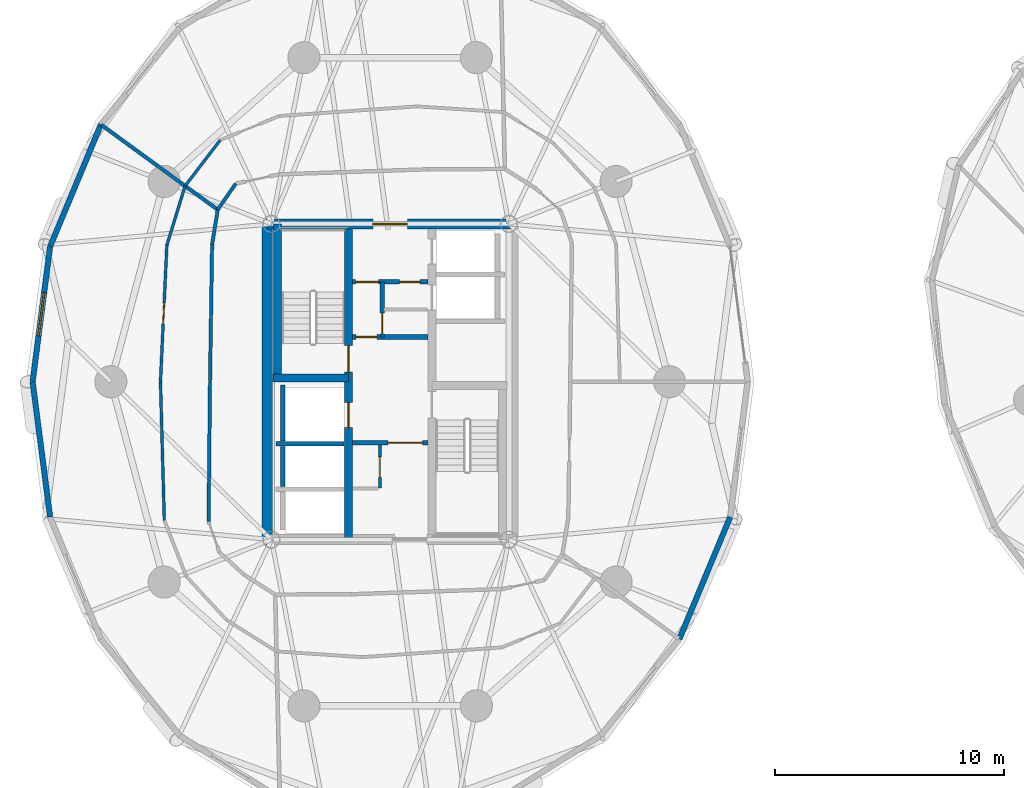
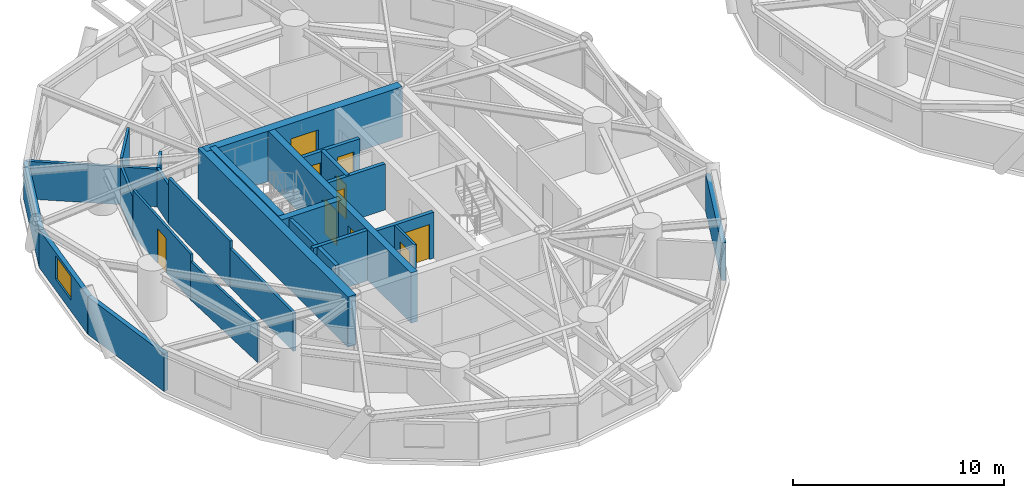
# One storey, part 10 of 17: 26 walls, 10 doors, 1 window, 11 openings.
"""IFC4 building model written with IfcOpenShell, lengths in metres."""

from ifc_helpers import new_model, si_unit, direction, frame, frame_2d, origin, place, context, subcontext, project, spatial, rectangle, extrude, source, transform, mapped, material, layer, layer_set, type_object, element, fill, save


model = new_model("IFC4")

# Units and contexts
model_context = context("Model", 3, precision=1e-05, world=origin(), true_north=direction((0.0, 1.0)))
body_context = subcontext(model_context, "Body", "Model", "MODEL_VIEW")
ifc_project = project(units=[si_unit("LENGTHUNIT", "METRE"), si_unit("AREAUNIT", "SQUARE_METRE"), si_unit("VOLUMEUNIT", "CUBIC_METRE"), si_unit("PLANEANGLEUNIT", "RADIAN"), si_unit("MASSUNIT", "GRAM", prefix="KILO")], contexts=[model_context])

# Site, building, storey
site_placement = place(None, origin())
site = spatial("IfcSite", under=ifc_project, at=site_placement, CompositionType="ELEMENT")
building_placement = place(site_placement, origin())
building = spatial("IfcBuilding", under=site, at=building_placement, Name="Cununo Teusaquillo Station Towers", CompositionType="ELEMENT")
storey_placement = place(building_placement, frame((0.0, 0.0, 90.52001953125)))
storey = spatial("IfcBuildingStorey", under=building, at=storey_placement, Name="L28", CompositionType="ELEMENT", Elevation=90.52001953125)

# Walls
ifc_material_1 = material(Name="Concrete C50/60", Category="concrete")
ifc_layer_1 = layer(ifc_material_1, 0.199951171875)
ifc_layer_set_1 = layer_set([ifc_layer_1], Name="Concrete C50/60")
wall_type_1 = type_object("IfcWallType", Name="WL-CORE-200", PredefinedType="SHEAR", material=ifc_layer_set_1)
wall_1_placement = place(storey_placement, frame((11.52001953125, 21.800048828125, 0.0), z_axis=(0.0, 0.0, 1.0), x_axis=(1.0, 0.0, 0.0)))
element("IfcWall", 1, at=wall_1_placement, inside=storey, type_object=wall_type_1, Name="L28 Tower A Firefighting Lift Shaft South Shear Wall", PredefinedType="SHEAR", context=body_context, shape_type="SweptSolid", body=[
    extrude(rectangle(XDim=2.969970703125, YDim=0.199951171875, at=frame_2d((1.48486328125, 0.0))), origin(), (0.0, 0.0, 1.0), 2.909912109375),
])
wall_2_placement = place(storey_placement, frame((11.820068359375, 21.919921875, 0.0), z_axis=(0.0, 0.0, 1.0), x_axis=(0.0, 1.0, 0.0)))
element("IfcWall", 2, at=wall_2_placement, inside=storey, type_object=wall_type_1, Name="L28 Tower A Firefighting Lift Shaft Rear Shear Wall", PredefinedType="SHEAR", context=body_context, shape_type="SweptSolid", body=[
    extrude(rectangle(XDim=2.440185546875, YDim=0.199951171875, at=frame_2d((1.22021484375, 0.0))), origin(), (0.0, 0.0, 1.0), 2.909912109375),
])
wall_3_placement = place(storey_placement, frame((11.820068359375, 19.945068359375, 0.0), z_axis=(0.0, 0.0, 1.0), x_axis=(0.0, 1.0, 0.0)))
element("IfcWall", 3, at=wall_3_placement, inside=storey, type_object=wall_type_1, Name="L28 Tower A High-Rise Lift 2 Shaft Rear Shear Wall", PredefinedType="SHEAR", context=body_context, shape_type="SweptSolid", body=[
    extrude(rectangle(XDim=1.73486328125, YDim=0.199951171875, at=frame_2d((0.867431640625, 0.0))), origin(), (0.0, 0.0, 1.0), 2.909912109375),
])

# Wall, openings, doors
ifc_material_2 = material(Name="Concrete C50/60", Category="concrete")
ifc_layer_2 = layer(ifc_material_2, 0.35009765625)
ifc_layer_set_2 = layer_set([ifc_layer_2], Name="Concrete C50/60")
wall_type_2 = type_object("IfcWallType", Name="WL-CORE-350", PredefinedType="SHEAR", material=ifc_layer_set_2)
wall_4_placement = place(storey_placement, frame((14.68505859375, 17.625, 0.0), z_axis=(0.0, 0.0, 1.0), x_axis=(0.0, 1.0, 0.0)))
wall_4 = element("IfcWall", 4, at=wall_4_placement, inside=storey, type_object=wall_type_2, Name="L28 Tower A Core Shear Wall IW", PredefinedType="SHEAR", context=body_context, shape_type="SweptSolid", body=[
    extrude(rectangle(XDim=13.75, YDim=0.35009765625, at=frame_2d((6.875, 0.0))), origin(), (0.0, 0.0, 1.0), 2.909912109375),
])
shared_shape_1 = source(origin(), body_context, "Body", "SweptSolid", [
    extrude(rectangle(XDim=1.10009765625, YDim=2.014892578125, at=frame_2d((0.550048828125, 1.00732421875))), frame((0.0, 0.18505859375, 0.0), z_axis=(0.0, -1.0, 0.0), x_axis=(1.0, 0.0, 0.0)), (0.0, 0.0, 1.0), 0.3701171875),
])
opening_1_placement = place(wall_4_placement, frame((4.875, 0.0, 0.0)))
opening_1 = element("IfcOpeningElement", 5, at=opening_1_placement, cuts=wall_4, Name="Opening LD-01", PredefinedType="OPENING", context=body_context, shape_type="MappedRepresentation", body=[
    mapped(shared_shape_1, transform((0.0, 0.0, 0.0), x_axis=(1.0, 0.0, 0.0), y_axis=(0.0, 1.0, 0.0), z_axis=(0.0, 0.0, 1.0), scale=1.0)),
])
shared_shape_2 = source(origin(), body_context, "Body", "SweptSolid", [
    extrude(rectangle(XDim=1.14990234375, YDim=2.02001953125, at=frame_2d((0.574951171875, 1.010009765625))), frame((0.0, 0.18505859375, 0.0), z_axis=(0.0, -1.0, 0.0), x_axis=(1.0, 0.0, 0.0)), (0.0, 0.0, 1.0), 0.3701171875),
])
opening_2_placement = place(wall_4_placement, frame((7.294921875, 0.0, 0.0)))
opening_2 = element("IfcOpeningElement", 6, at=opening_2_placement, cuts=wall_4, Name="Opening D-ST1", PredefinedType="OPENING", context=body_context, shape_type="MappedRepresentation", body=[
    mapped(shared_shape_2, transform((0.0, 0.0, 0.0), x_axis=(1.0, 0.0, 0.0), y_axis=(0.0, 1.0, 0.0), z_axis=(0.0, 0.0, 1.0), scale=1.0)),
])
ifc_material_3 = material(Name="Galvanised fire-rated hollow steel door assembly", Category="steel")
door_type_1 = type_object("IfcDoorType", Name="DR-LIFT-1100", OperationType="SLIDING_TO_LEFT", PredefinedType="DOOR", material=ifc_material_3)
shared_shape_3 = source(origin(), body_context, "Body", "SweptSolid", [
    extrude(rectangle(XDim=1.10009765625, YDim=2.014892578125, at=frame_2d((0.550048828125, 1.00732421875))), frame((0.0, 0.02490234375, 0.0), z_axis=(0.0, -1.0, 0.0), x_axis=(1.0, 0.0, 0.0)), (0.0, 0.0, 1.0), 0.050048828125),
])
door_1_placement = place(opening_1_placement, origin())
door_1 = element("IfcDoor", 7, at=door_1_placement, inside=storey, type_object=door_type_1, Name="L28 Lift FL-T1 Sliding Landing Door", OperationType="SLIDING_TO_LEFT", OverallHeight=2.014892578125, OverallWidth=1.10009765625, PredefinedType="DOOR", context=body_context, shape_type="MappedRepresentation", body=[
    mapped(shared_shape_3, transform((0.0, 0.0, 0.0), x_axis=(1.0, 0.0, 0.0), y_axis=(0.0, 1.0, 0.0), z_axis=(0.0, 0.0, 1.0), scale=1.0)),
])
fill(opening_1, door_1)
ifc_material_4 = material(Name="Galvanised fire-rated hollow steel door assembly", Category="steel")
door_type_2 = type_object("IfcDoorType", Name="DR-STAIR-1150", OperationType="NOTDEFINED", PredefinedType="DOOR", material=ifc_material_4)
shared_shape_4 = source(origin(), body_context, "Body", "SweptSolid", [
    extrude(rectangle(XDim=1.14990234375, YDim=2.02001953125, at=frame_2d((0.574951171875, 1.010009765625))), frame((0.0, 0.02490234375, 0.0), z_axis=(0.0, -1.0, 0.0), x_axis=(1.0, 0.0, 0.0)), (0.0, 0.0, 1.0), 0.050048828125),
])
door_2_placement = place(opening_2_placement, origin())
door_2 = element("IfcDoor", 8, at=door_2_placement, inside=storey, type_object=door_type_2, Name="L28 Tower A Exit Stair 1 Fire Door", OperationType="SINGLE_SWING_RIGHT", OverallHeight=2.02001953125, OverallWidth=1.14990234375, PredefinedType="DOOR", context=body_context, shape_type="MappedRepresentation", body=[
    mapped(shared_shape_4, transform((0.0, 0.0, 0.0), x_axis=(1.0, 0.0, 0.0), y_axis=(0.0, 1.0, 0.0), z_axis=(0.0, 0.0, 1.0), scale=1.0)),
])
fill(opening_2, door_2)

# Walls
wall_5_placement = place(storey_placement, frame((11.594970703125, 24.655029296875, 0.0), z_axis=(0.0, 0.0, 1.0), x_axis=(0.0, 1.0, 0.0)))
element("IfcWall", 9, at=wall_5_placement, inside=storey, type_object=wall_type_2, Name="L28 Tower A Core Shear Wall ST1W", PredefinedType="SHEAR", context=body_context, shape_type="SweptSolid", body=[
    extrude(rectangle(XDim=6.719970703125, YDim=0.35009765625, at=frame_2d((3.35986328125, 0.0))), origin(), (0.0, 0.0, 1.0), 2.909912109375),
])
wall_6_placement = place(storey_placement, frame((11.39990234375, 24.655029296875, 0.0), z_axis=(0.0, 0.0, 1.0), x_axis=(1.0, 0.0, 0.0)))
element("IfcWall", 10, at=wall_6_placement, inside=storey, type_object=wall_type_2, Name="L28 Tower A Core Shear Wall ST1S", PredefinedType="SHEAR", context=body_context, shape_type="SweptSolid", body=[
    extrude(rectangle(XDim=3.28515625, YDim=0.35009765625, at=frame_2d((1.642578125, 0.0))), origin(), (0.0, 0.0, 1.0), 2.909912109375),
])
ifc_material_5 = material(Name="Concrete C60/75", Category="concrete")
ifc_layer_3 = layer(ifc_material_5, 0.449951171875)
ifc_layer_set_3 = layer_set([ifc_layer_3], Name="Concrete C60/75")
wall_type_3 = type_object("IfcWallType", Name="WL-CORE-450", PredefinedType="SHEAR", material=ifc_layer_set_3)
wall_7_placement = place(storey_placement, frame((11.14990234375, 17.39990234375, 0.0), z_axis=(0.0, 0.0, 1.0), x_axis=(0.0, 1.0, 0.0)))
element("IfcWall", 11, at=wall_7_placement, inside=storey, type_object=wall_type_3, Name="L28 Tower A Core Shear Wall W", PredefinedType="SHEAR", context=body_context, shape_type="SweptSolid", body=[
    extrude(rectangle(XDim=14.2001953125, YDim=0.449951171875, at=frame_2d((7.10009765625, 0.0))), origin(), (0.0, 0.0, 1.0), 2.909912109375),
])

# Wall, opening, door
wall_8_placement = place(storey_placement, frame((11.14990234375, 31.375, 0.0), z_axis=(0.0, 0.0, 1.0), x_axis=(1.0, 0.0, 0.0)))
wall_8 = element("IfcWall", 12, at=wall_8_placement, inside=storey, type_object=wall_type_3, Name="L28 Tower A Core Shear Wall N", PredefinedType="SHEAR", context=body_context, shape_type="SweptSolid", body=[
    extrude(rectangle(XDim=10.7001953125, YDim=0.449951171875, at=frame_2d((5.35009765625, 0.0))), origin(), (0.0, 0.0, 1.0), 2.909912109375),
])
shared_shape_5 = source(origin(), body_context, "Body", "SweptSolid", [
    extrude(rectangle(XDim=1.5, YDim=2.02001953125, at=frame_2d((0.75, 1.010009765625))), frame((0.0, 0.23486328125, 0.0), z_axis=(0.0, -1.0, 0.0), x_axis=(1.0, 0.0, 0.0)), (0.0, 0.0, 1.0), 0.469970703125),
])
opening_3_placement = place(wall_8_placement, frame((4.60009765625, 0.0, 0.0)))
opening_3 = element("IfcOpeningElement", 13, at=opening_3_placement, cuts=wall_8, Name="Opening D-LB1", PredefinedType="OPENING", context=body_context, shape_type="MappedRepresentation", body=[
    mapped(shared_shape_5, transform((0.0, 0.0, 0.0), x_axis=(1.0, 0.0, 0.0), y_axis=(0.0, 1.0, 0.0), z_axis=(0.0, 0.0, 1.0), scale=1.0)),
])
ifc_material_6 = material(Name="Galvanised fire-rated hollow steel door assembly", Category="steel")
door_type_3 = type_object("IfcDoorType", Name="DR-LOBBY-1500", OperationType="DOUBLE_DOOR_SINGLE_SWING", PredefinedType="DOOR", material=ifc_material_6)
shared_shape_6 = source(origin(), body_context, "Body", "SweptSolid", [
    extrude(rectangle(XDim=1.5, YDim=2.02001953125, at=frame_2d((0.75, 1.010009765625))), frame((0.0, 0.02490234375, 0.0), z_axis=(0.0, -1.0, 0.0), x_axis=(1.0, 0.0, 0.0)), (0.0, 0.0, 1.0), 0.050048828125),
])
door_3_placement = place(opening_3_placement, origin())
door_3 = element("IfcDoor", 14, at=door_3_placement, inside=storey, type_object=door_type_3, Name="L28 Tower A North Core Lift Lobby Door", OperationType="DOUBLE_DOOR_SINGLE_SWING", OverallHeight=2.02001953125, OverallWidth=1.5, PredefinedType="DOOR", context=body_context, shape_type="MappedRepresentation", body=[
    mapped(shared_shape_6, transform((0.0, 0.0, 0.0), x_axis=(1.0, 0.0, 0.0), y_axis=(0.0, 1.0, 0.0), z_axis=(0.0, 0.0, 1.0), scale=1.0)),
])
fill(opening_3, door_3)

# Wall
ifc_material_7 = material(Name="Precast concrete C40/50", Category="concrete")
ifc_layer_4 = layer(ifc_material_7, 0.239990234375)
ifc_layer_set_4 = layer_set([ifc_layer_4], Name="Precast concrete C40/50")
wall_type_4 = type_object("IfcWallType", Name="WL-EXT-240", PredefinedType="SOLIDWALL", material=ifc_layer_set_4)
wall_9_placement = place(storey_placement, frame((1.681640625, 30.39306640625, 0.0), z_axis=(0.0, 0.0, 1.0), x_axis=(0.384344417632, 0.923189779317, 0.0)))
element("IfcWall", 15, at=wall_9_placement, inside=storey, type_object=wall_type_4, Name="L28 Tower A Exterior Facade Wall C08", PredefinedType="SOLIDWALL", context=body_context, shape_type="SweptSolid", body=[
    extrude(rectangle(XDim=5.75830078125, YDim=0.239990234375, at=frame_2d((2.879150390625, 0.0))), origin(), (0.0, 0.0, 1.0), 2.178955078125),
])

# Wall, opening, window
wall_10_placement = place(storey_placement, frame((0.9189453125, 24.5, 0.0), z_axis=(0.0, 0.0, 1.0), x_axis=(0.128351991996, 0.991728675672, 0.0)))
wall_10 = element("IfcWall", 16, at=wall_10_placement, inside=storey, type_object=wall_type_4, Name="L28 Tower A Exterior Facade Wall C09", PredefinedType="SOLIDWALL", context=body_context, shape_type="SweptSolid", body=[
    extrude(rectangle(XDim=5.942138671875, YDim=0.239990234375, at=frame_2d((2.97119140625, 0.0))), origin(), (0.0, 0.0, 1.0), 2.178955078125),
])
shared_shape_7 = source(origin(), body_context, "Body", "SweptSolid", [
    extrude(rectangle(XDim=1.89990234375, YDim=1.35009765625, at=frame_2d((0.949951171875, 0.675048828125))), frame((0.0, 0.1298828125, 0.0), z_axis=(0.0, -1.0, 0.0), x_axis=(1.0, 0.0, 0.0)), (0.0, 0.0, 1.0), 0.260009765625),
])
opening_4_placement = place(wall_10_placement, frame((2.02099609375, 0.0, 0.64990234375)))
opening_4 = element("IfcOpeningElement", 17, at=opening_4_placement, cuts=wall_10, Name="Opening WN-02", PredefinedType="OPENING", context=body_context, shape_type="MappedRepresentation", body=[
    mapped(shared_shape_7, transform((0.0, 0.0, 0.0), x_axis=(1.0, 0.0, 0.0), y_axis=(0.0, 1.0, 0.0), z_axis=(0.0, 0.0, 1.0), scale=1.0)),
])
ifc_material_8 = material(Name="Operable acoustic tinted low-E double glazing", Category="glass")
window_type = type_object("IfcWindowType", Name="WIN-OPER-1900", PartitioningType="DOUBLE_PANEL_VERTICAL", PredefinedType="WINDOW", material=ifc_material_8)
shared_shape_8 = source(origin(), body_context, "Body", "SweptSolid", [
    extrude(rectangle(XDim=1.89990234375, YDim=1.35009765625, at=frame_2d((0.949951171875, 0.675048828125))), frame((0.0, 0.030029296875, 0.0), z_axis=(0.0, -1.0, 0.0), x_axis=(1.0, 0.0, 0.0)), (0.0, 0.0, 1.0), 0.06005859375),
])
window_placement = place(opening_4_placement, origin())
window = element("IfcWindow", 18, at=window_placement, inside=storey, type_object=window_type, Name="L28 Tower A Facade Window C09", OverallHeight=1.35009765625, OverallWidth=1.89990234375, PartitioningType="DOUBLE_PANEL_VERTICAL", PredefinedType="WINDOW", context=body_context, shape_type="MappedRepresentation", body=[
    mapped(shared_shape_8, transform((0.0, 0.0, 0.0), x_axis=(1.0, 0.0, 0.0), y_axis=(0.0, 1.0, 0.0), z_axis=(0.0, 0.0, 1.0), scale=1.0)),
])
fill(opening_4, window)

# Walls
wall_11_placement = place(storey_placement, frame((1.681640625, 18.60693359375, 0.0), z_axis=(0.0, 0.0, 1.0), x_axis=(-0.128351991996, 0.991728675672, 0.0)))
element("IfcWall", 19, at=wall_11_placement, inside=storey, type_object=wall_type_4, Name="L28 Tower A Exterior Facade Wall C10", PredefinedType="SOLIDWALL", context=body_context, shape_type="SweptSolid", body=[
    extrude(rectangle(XDim=5.942138671875, YDim=0.239990234375, at=frame_2d((2.97119140625, 0.0))), origin(), (0.0, 0.0, 1.0), 2.178955078125),
])
wall_12_placement = place(storey_placement, frame((31.318359375, 18.60693359375, 0.0), z_axis=(0.0, 0.0, 1.0), x_axis=(-0.384344417632, -0.923189779317, 0.0)))
element("IfcWall", 20, at=wall_12_placement, inside=storey, type_object=wall_type_4, Name="L28 Tower A Exterior Facade Wall C18", PredefinedType="SOLIDWALL", context=body_context, shape_type="SweptSolid", body=[
    extrude(rectangle(XDim=5.75830078125, YDim=0.239990234375, at=frame_2d((2.879150390625, 0.0))), origin(), (0.0, 0.0, 1.0), 2.178955078125),
])

# Wall, opening, door
ifc_material_9 = material(Name="Fire-rated gypsum plasterboard partition assembly", Category="gypsum")
ifc_layer_5 = layer(ifc_material_9, 0.125)
ifc_layer_set_5 = layer_set([ifc_layer_5], Name="Fire-rated gypsum plasterboard partition assembly")
wall_type_5 = type_object("IfcWallType", Name="WL-PART-125", PredefinedType="PARTITIONING", material=ifc_layer_set_5)
wall_13_placement = place(storey_placement, frame((16.050048828125, 19.8798828125, 0.0), z_axis=(0.0, 0.0, 1.0), x_axis=(0.0, 1.0, 0.0)))
wall_13 = element("IfcWall", 21, at=wall_13_placement, inside=storey, type_object=wall_type_5, Name="L28 Tower A North-West Lobby Store East Wall", PredefinedType="PARTITIONING", context=body_context, shape_type="SweptSolid", body=[
    extrude(rectangle(XDim=1.8701171875, YDim=0.125, at=frame_2d((0.93505859375, 0.0))), origin(), (0.0, 0.0, 1.0), 2.655029296875),
])
shared_shape_9 = source(origin(), body_context, "Body", "SweptSolid", [
    extrude(rectangle(XDim=0.89990234375, YDim=2.0048828125, at=frame_2d((0.449951171875, 1.00244140625))), frame((0.0, 0.072509765625, 0.0), z_axis=(0.0, -1.0, 0.0), x_axis=(1.0, 0.0, 0.0)), (0.0, 0.0, 1.0), 0.14501953125),
])
opening_5_placement = place(wall_13_placement, frame((0.449951171875, 0.0, 0.0)))
opening_5 = element("IfcOpeningElement", 22, at=opening_5_placement, cuts=wall_13, Name="Opening D-SR1", PredefinedType="OPENING", context=body_context, shape_type="MappedRepresentation", body=[
    mapped(shared_shape_9, transform((0.0, 0.0, 0.0), x_axis=(1.0, 0.0, 0.0), y_axis=(0.0, 1.0, 0.0), z_axis=(0.0, 0.0, 1.0), scale=1.0)),
])
ifc_material_10 = material(Name="Galvanised fire-rated hollow steel door assembly", Category="steel")
door_type_4 = type_object("IfcDoorType", Name="DR-STORE-900", OperationType="NOTDEFINED", PredefinedType="DOOR", material=ifc_material_10)
shared_shape_10 = source(origin(), body_context, "Body", "SweptSolid", [
    extrude(rectangle(XDim=0.89990234375, YDim=2.0048828125, at=frame_2d((0.449951171875, 1.00244140625))), frame((0.0, 0.02490234375, 0.0), z_axis=(0.0, -1.0, 0.0), x_axis=(1.0, 0.0, 0.0)), (0.0, 0.0, 1.0), 0.050048828125),
])
door_4_placement = place(opening_5_placement, origin())
door_4 = element("IfcDoor", 23, at=door_4_placement, inside=storey, type_object=door_type_4, Name="L28 Tower A South Lobby Data Store Door", OperationType="SINGLE_SWING_RIGHT", OverallHeight=2.0048828125, OverallWidth=0.89990234375, PredefinedType="DOOR", context=body_context, shape_type="MappedRepresentation", body=[
    mapped(shared_shape_10, transform((0.0, 0.0, 0.0), x_axis=(1.0, 0.0, 0.0), y_axis=(0.0, 1.0, 0.0), z_axis=(0.0, 0.0, 1.0), scale=1.0)),
])
fill(opening_5, door_4)

# Walls
wall_14_placement = place(storey_placement, frame((9.093994140625, 35.03125, 0.0), z_axis=(0.0, 0.0, 1.0), x_axis=(-0.607813927368, -0.794079485755, 0.0)))
element("IfcWall", 24, at=wall_14_placement, inside=storey, type_object=wall_type_5, Name="L28 Tower A Parametric Prototyping Lab Concentric Partition Wall C07", PredefinedType="PARTITIONING", context=body_context, shape_type="SweptSolid", body=[
    extrude(rectangle(XDim=2.51513671875, YDim=0.125, at=frame_2d((1.257568359375, 0.0))), origin(), (0.0, 0.0, 1.0), 2.655029296875),
])
wall_15_placement = place(storey_placement, frame((7.565185546875, 33.033935546875, 0.0), z_axis=(0.0, 0.0, 1.0), x_axis=(-0.294365365095, -0.955692958974, 0.0)))
element("IfcWall", 25, at=wall_15_placement, inside=storey, type_object=wall_type_5, Name="L28 Tower A Client Demo Briefing Gallery Concentric Partition Wall C08", PredefinedType="PARTITIONING", context=body_context, shape_type="SweptSolid", body=[
    extrude(rectangle(XDim=2.700439453125, YDim=0.125, at=frame_2d((1.35009765625, 0.0))), origin(), (0.0, 0.0, 1.0), 2.22509765625),
])

# Wall, opening, door
wall_16_placement = place(storey_placement, frame((6.770263671875, 30.453125, 0.0), z_axis=(0.0, 0.0, 1.0), x_axis=(-0.046864461883, -0.998901257489, 0.0)))
wall_16 = element("IfcWall", 26, at=wall_16_placement, inside=storey, type_object=wall_type_5, Name="L28 Tower A Client Demo Briefing Gallery Concentric Partition Wall C09", PredefinedType="PARTITIONING", context=body_context, shape_type="SweptSolid", body=[
    extrude(rectangle(XDim=5.959716796875, YDim=0.125, at=frame_2d((2.97998046875, 0.0))), origin(), (0.0, 0.0, 1.0), 2.655029296875),
])
opening_6_placement = place(wall_16_placement, frame((2.52978515625, 0.0, 0.0)))
opening_6 = element("IfcOpeningElement", 27, at=opening_6_placement, cuts=wall_16, Name="Opening D-IN1", PredefinedType="OPENING", context=body_context, shape_type="MappedRepresentation", body=[
    mapped(shared_shape_9, transform((0.0, 0.0, 0.0), x_axis=(1.0, 0.0, 0.0), y_axis=(0.0, 1.0, 0.0), z_axis=(0.0, 0.0, 1.0), scale=1.0)),
])
ifc_material_11 = material(Name="Acoustic solid-core hardwood leaf assembly", Category="wood")
door_type_5 = type_object("IfcDoorType", Name="DR-INT-900", OperationType="NOTDEFINED", PredefinedType="DOOR", material=ifc_material_11)
door_5_placement = place(opening_6_placement, origin())
door_5 = element("IfcDoor", 28, at=door_5_placement, inside=storey, type_object=door_type_5, Name="L28 Tower A Client Demo Briefing Gallery Connecting Door", OperationType="SINGLE_SWING_RIGHT", OverallHeight=2.0048828125, OverallWidth=0.89990234375, PredefinedType="DOOR", context=body_context, shape_type="MappedRepresentation", body=[
    mapped(shared_shape_10, transform((0.0, 0.0, 0.0), x_axis=(1.0, 0.0, 0.0), y_axis=(0.0, 1.0, 0.0), z_axis=(0.0, 0.0, 1.0), scale=1.0)),
])
fill(opening_6, door_5)

# Walls
wall_17_placement = place(storey_placement, frame((6.490966796875, 24.5, 0.0), z_axis=(0.0, 0.0, 1.0), x_axis=(0.027808577393, -0.99961326673, 0.0)))
element("IfcWall", 29, at=wall_17_placement, inside=storey, type_object=wall_type_5, Name="L28 Tower A Client Demo Briefing Gallery Concentric Partition Wall C10", PredefinedType="PARTITIONING", context=body_context, shape_type="SweptSolid", body=[
    extrude(rectangle(XDim=6.040283203125, YDim=0.125, at=frame_2d((3.02001953125, 0.0))), origin(), (0.0, 0.0, 1.0), 2.22509765625),
])
ifc_material_12 = material(Name="Fire-rated gypsum plasterboard partition assembly", Category="gypsum")
ifc_layer_6 = layer(ifc_material_12, 0.14990234375)
ifc_layer_set_6 = layer_set([ifc_layer_6], Name="Fire-rated gypsum plasterboard partition assembly")
wall_type_6 = type_object("IfcWallType", Name="WL-PART-150", PredefinedType="PARTITIONING", material=ifc_layer_set_6)
wall_18_placement = place(storey_placement, frame((9.770751953125, 33.13330078125, 0.0), z_axis=(0.0, 0.0, 1.0), x_axis=(-0.568464531016, -0.822707771312, 0.0)))
element("IfcWall", 30, at=wall_18_placement, inside=storey, type_object=wall_type_6, Name="L28 Tower A Corridor Ring Wall C07", PredefinedType="PARTITIONING", context=body_context, shape_type="SweptSolid", body=[
    extrude(rectangle(XDim=1.3798828125, YDim=0.14990234375, at=frame_2d((0.68994140625, 0.0))), origin(), (0.0, 0.0, 1.0), 2.22509765625),
])
wall_19_placement = place(storey_placement, frame((8.986328125, 31.998046875, 0.0), z_axis=(0.0, 0.0, 1.0), x_axis=(-0.158992972351, -0.98727971454, 0.0)))
element("IfcWall", 31, at=wall_19_placement, inside=storey, type_object=wall_type_6, Name="L28 Tower A Corridor Ring Wall C08", PredefinedType="PARTITIONING", context=body_context, shape_type="SweptSolid", body=[
    extrude(rectangle(XDim=1.53857421875, YDim=0.14990234375, at=frame_2d((0.769287109375, 0.0))), origin(), (0.0, 0.0, 1.0), 2.22509765625),
])
wall_20_placement = place(storey_placement, frame((8.74169921875, 30.47900390625, 0.0), z_axis=(0.0, 0.0, 1.0), x_axis=(-0.015351396174, -0.999882160375, 0.0)))
element("IfcWall", 32, at=wall_20_placement, inside=storey, type_object=wall_type_6, Name="L28 Tower A Corridor Ring Wall C09", PredefinedType="PARTITIONING", context=body_context, shape_type="SweptSolid", body=[
    extrude(rectangle(XDim=5.979736328125, YDim=0.14990234375, at=frame_2d((2.98974609375, 0.0))), origin(), (0.0, 0.0, 1.0), 2.655029296875),
])
wall_21_placement = place(storey_placement, frame((8.64990234375, 24.5, 0.0), z_axis=(0.0, 0.0, 1.0), x_axis=(-0.010250943023, -0.999947457703, 0.0)))
element("IfcWall", 33, at=wall_21_placement, inside=storey, type_object=wall_type_6, Name="L28 Tower A Corridor Ring Wall C10", PredefinedType="PARTITIONING", context=body_context, shape_type="SweptSolid", body=[
    extrude(rectangle(XDim=6.096923828125, YDim=0.14990234375, at=frame_2d((3.04833984375, 0.0))), origin(), (0.0, 0.0, 1.0), 2.22509765625),
])
ifc_material_13 = material(Name="Fire-rated gypsum plasterboard partition assembly", Category="gypsum")
ifc_layer_7 = layer(ifc_material_13, 0.159912109375)
ifc_layer_set_7 = layer_set([ifc_layer_7], Name="Fire-rated gypsum plasterboard partition assembly")
wall_type_7 = type_object("IfcWallType", Name="WL-PART-160", PredefinedType="PARTITIONING", material=ifc_layer_set_7)
wall_22_placement = place(storey_placement, frame((8.986328125, 31.998046875, 0.0), z_axis=(0.0, 0.0, 1.0), x_axis=(-0.808130498411, 0.589003478375, 0.0)))
element("IfcWall", 34, at=wall_22_placement, inside=storey, type_object=wall_type_7, Name="L28 Tower A Radial Suite Partition R03", PredefinedType="PARTITIONING", context=body_context, shape_type="SweptSolid", body=[
    extrude(rectangle(XDim=6.280517578125, YDim=0.159912109375, at=frame_2d((3.14013671875, 0.0))), origin(), (0.0, 0.0, 1.0), 2.178955078125),
])

# Wall, opening, door
ifc_material_14 = material(Name="Fire-rated gypsum plasterboard partition assembly", Category="gypsum")
ifc_layer_8 = layer(ifc_material_14, 0.199951171875)
ifc_layer_set_8 = layer_set([ifc_layer_8], Name="Fire-rated gypsum plasterboard partition assembly")
wall_type_8 = type_object("IfcWallType", Name="WL-PART-200", PredefinedType="PARTITIONING", material=ifc_layer_set_8)
wall_23_placement = place(storey_placement, frame((14.860107421875, 21.85009765625, 0.0), z_axis=(0.0, 0.0, 1.0), x_axis=(1.0, 0.0, 0.0)))
wall_23 = element("IfcWall", 35, at=wall_23_placement, inside=storey, type_object=wall_type_8, Name="L28 Tower A Firefighting Lift Lobby South Fire Wall", PredefinedType="PARTITIONING", context=body_context, shape_type="SweptSolid", body=[
    extrude(rectangle(XDim=3.27978515625, YDim=0.199951171875, at=frame_2d((1.639892578125, 0.0))), origin(), (0.0, 0.0, 1.0), 2.655029296875),
])
shared_shape_11 = source(origin(), body_context, "Body", "SweptSolid", [
    extrude(rectangle(XDim=1.5, YDim=2.02001953125, at=frame_2d((0.75, 1.010009765625))), frame((0.0, 0.10986328125, 0.0), z_axis=(0.0, -1.0, 0.0), x_axis=(1.0, 0.0, 0.0)), (0.0, 0.0, 1.0), 0.219970703125),
])
opening_7_placement = place(wall_23_placement, frame((1.550048828125, 0.0, 0.0)))
opening_7 = element("IfcOpeningElement", 36, at=opening_7_placement, cuts=wall_23, Name="Opening D-LB1", PredefinedType="OPENING", context=body_context, shape_type="MappedRepresentation", body=[
    mapped(shared_shape_11, transform((0.0, 0.0, 0.0), x_axis=(1.0, 0.0, 0.0), y_axis=(0.0, 1.0, 0.0), z_axis=(0.0, 0.0, 1.0), scale=1.0)),
])
door_6_placement = place(opening_7_placement, origin())
door_6 = element("IfcDoor", 37, at=door_6_placement, inside=storey, type_object=door_type_3, Name="L28 Tower A Firefighting Lift Lobby South Fire Door", OperationType="DOUBLE_DOOR_SINGLE_SWING", OverallHeight=2.02001953125, OverallWidth=1.5, PredefinedType="DOOR", context=body_context, shape_type="MappedRepresentation", body=[
    mapped(shared_shape_6, transform((0.0, 0.0, 0.0), x_axis=(1.0, 0.0, 0.0), y_axis=(0.0, 1.0, 0.0), z_axis=(0.0, 0.0, 1.0), scale=1.0)),
])
fill(opening_7, door_6)

wall_24_placement = place(storey_placement, frame((14.860107421875, 26.449951171875, 0.0), z_axis=(0.0, 0.0, 1.0), x_axis=(1.0, 0.0, 0.0)))
wall_24 = element("IfcWall", 38, at=wall_24_placement, inside=storey, type_object=wall_type_8, Name="L28 Tower A Firefighting Lift Lobby North Fire Wall", PredefinedType="PARTITIONING", context=body_context, shape_type="SweptSolid", body=[
    extrude(rectangle(XDim=3.27978515625, YDim=0.199951171875, at=frame_2d((1.639892578125, 0.0))), origin(), (0.0, 0.0, 1.0), 2.655029296875),
])
shared_shape_12 = source(origin(), body_context, "Body", "SweptSolid", [
    extrude(rectangle(XDim=0.89990234375, YDim=2.0048828125, at=frame_2d((0.449951171875, 1.00244140625))), frame((0.0, 0.10986328125, 0.0), z_axis=(0.0, -1.0, 0.0), x_axis=(1.0, 0.0, 0.0)), (0.0, 0.0, 1.0), 0.219970703125),
])
opening_8_placement = place(wall_24_placement, frame((0.159912109375, 0.0, 0.0)))
opening_8 = element("IfcOpeningElement", 39, at=opening_8_placement, cuts=wall_24, Name="Opening D-SR1", PredefinedType="OPENING", context=body_context, shape_type="MappedRepresentation", body=[
    mapped(shared_shape_12, transform((0.0, 0.0, 0.0), x_axis=(1.0, 0.0, 0.0), y_axis=(0.0, 1.0, 0.0), z_axis=(0.0, 0.0, 1.0), scale=1.0)),
])
door_7_placement = place(opening_8_placement, origin())
door_7 = element("IfcDoor", 40, at=door_7_placement, inside=storey, type_object=door_type_4, Name="L28 Tower A Stair 1 Protected Vestibule South Door", OperationType="SINGLE_SWING_RIGHT", OverallHeight=2.0048828125, OverallWidth=0.89990234375, PredefinedType="DOOR", context=body_context, shape_type="MappedRepresentation", body=[
    mapped(shared_shape_10, transform((0.0, 0.0, 0.0), x_axis=(1.0, 0.0, 0.0), y_axis=(0.0, 1.0, 0.0), z_axis=(0.0, 0.0, 1.0), scale=1.0)),
])
fill(opening_8, door_7)

wall_25_placement = place(storey_placement, frame((16.14990234375, 26.449951171875, 0.0), z_axis=(0.0, 0.0, 1.0), x_axis=(0.0, 1.0, 0.0)))
wall_25 = element("IfcWall", 41, at=wall_25_placement, inside=storey, type_object=wall_type_8, Name="L28 Tower A Stair 1 Vestibule Partition Wall", PredefinedType="PARTITIONING", context=body_context, shape_type="SweptSolid", body=[
    extrude(rectangle(XDim=2.400146484375, YDim=0.199951171875, at=frame_2d((1.2001953125, 0.0))), origin(), (0.0, 0.0, 1.0), 2.655029296875),
])
opening_9_placement = place(wall_25_placement, frame((0.139892578125, 0.0, 0.0)))
opening_9 = element("IfcOpeningElement", 42, at=opening_9_placement, cuts=wall_25, Name="Opening D-SR1", PredefinedType="OPENING", context=body_context, shape_type="MappedRepresentation", body=[
    mapped(shared_shape_12, transform((0.0, 0.0, 0.0), x_axis=(1.0, 0.0, 0.0), y_axis=(0.0, 1.0, 0.0), z_axis=(0.0, 0.0, 1.0), scale=1.0)),
])
door_8_placement = place(opening_9_placement, origin())
door_8 = element("IfcDoor", 43, at=door_8_placement, inside=storey, type_object=door_type_4, Name="L28 Tower A Core Linen Store Door", OperationType="SINGLE_SWING_LEFT", OverallHeight=2.0048828125, OverallWidth=0.89990234375, PredefinedType="DOOR", context=body_context, shape_type="MappedRepresentation", body=[
    mapped(shared_shape_10, transform((0.0, 0.0, 0.0), x_axis=(1.0, 0.0, 0.0), y_axis=(0.0, 1.0, 0.0), z_axis=(0.0, 0.0, 1.0), scale=1.0)),
])
fill(opening_9, door_8)

# Wall, openings, doors
wall_26_placement = place(storey_placement, frame((14.860107421875, 28.85009765625, 0.0), z_axis=(0.0, 0.0, 1.0), x_axis=(1.0, 0.0, 0.0)))
wall_26 = element("IfcWall", 44, at=wall_26_placement, inside=storey, type_object=wall_type_8, Name="L28 Tower A North Lift Lobby South Fire Wall", PredefinedType="PARTITIONING", context=body_context, shape_type="SweptSolid", body=[
    extrude(rectangle(XDim=3.27978515625, YDim=0.199951171875, at=frame_2d((1.639892578125, 0.0))), origin(), (0.0, 0.0, 1.0), 2.655029296875),
])
shared_shape_13 = source(origin(), body_context, "Body", "SweptSolid", [
    extrude(rectangle(XDim=1.0, YDim=2.014892578125, at=frame_2d((0.5, 1.00732421875))), frame((0.0, 0.10986328125, 0.0), z_axis=(0.0, -1.0, 0.0), x_axis=(1.0, 0.0, 0.0)), (0.0, 0.0, 1.0), 0.219970703125),
])
opening_10_placement = place(wall_26_placement, frame((0.139892578125, 0.0, 0.0)))
opening_10 = element("IfcOpeningElement", 45, at=opening_10_placement, cuts=wall_26, Name="Opening D-AC1", PredefinedType="OPENING", context=body_context, shape_type="MappedRepresentation", body=[
    mapped(shared_shape_13, transform((0.0, 0.0, 0.0), x_axis=(1.0, 0.0, 0.0), y_axis=(0.0, 1.0, 0.0), z_axis=(0.0, 0.0, 1.0), scale=1.0)),
])
opening_11_placement = place(wall_26_placement, frame((2.050048828125, 0.0, 0.0)))
opening_11 = element("IfcOpeningElement", 46, at=opening_11_placement, cuts=wall_26, Name="Opening D-SR1", PredefinedType="OPENING", context=body_context, shape_type="MappedRepresentation", body=[
    mapped(shared_shape_12, transform((0.0, 0.0, 0.0), x_axis=(1.0, 0.0, 0.0), y_axis=(0.0, 1.0, 0.0), z_axis=(0.0, 0.0, 1.0), scale=1.0)),
])
door_9_placement = place(opening_11_placement, origin())
door_9 = element("IfcDoor", 47, at=door_9_placement, inside=storey, type_object=door_type_4, Name="L28 Tower A Core Comms Room Door", OperationType="SINGLE_SWING_RIGHT", OverallHeight=2.0048828125, OverallWidth=0.89990234375, PredefinedType="DOOR", context=body_context, shape_type="MappedRepresentation", body=[
    mapped(shared_shape_10, transform((0.0, 0.0, 0.0), x_axis=(1.0, 0.0, 0.0), y_axis=(0.0, 1.0, 0.0), z_axis=(0.0, 0.0, 1.0), scale=1.0)),
])
fill(opening_11, door_9)
ifc_material_15 = material(Name="Acoustic solid-core hardwood leaf assembly", Category="wood")
door_type_6 = type_object("IfcDoorType", Name="DR-ACC-1000", OperationType="NOTDEFINED", PredefinedType="DOOR", material=ifc_material_15)
shared_shape_14 = source(origin(), body_context, "Body", "SweptSolid", [
    extrude(rectangle(XDim=1.0, YDim=2.014892578125, at=frame_2d((0.5, 1.00732421875))), frame((0.0, 0.02490234375, 0.0), z_axis=(0.0, -1.0, 0.0), x_axis=(1.0, 0.0, 0.0)), (0.0, 0.0, 1.0), 0.050048828125),
])
door_10_placement = place(opening_10_placement, origin())
door_10 = element("IfcDoor", 48, at=door_10_placement, inside=storey, type_object=door_type_6, Name="L28 Tower A North Lift Lobby to Stair 1 Vestibule Door", OperationType="SINGLE_SWING_LEFT", OverallHeight=2.014892578125, OverallWidth=1.0, PredefinedType="DOOR", context=body_context, shape_type="MappedRepresentation", body=[
    mapped(shared_shape_14, transform((0.0, 0.0, 0.0), x_axis=(1.0, 0.0, 0.0), y_axis=(0.0, 1.0, 0.0), z_axis=(0.0, 0.0, 1.0), scale=1.0)),
])
fill(opening_10, door_10)

save(model, "model.ifc")
